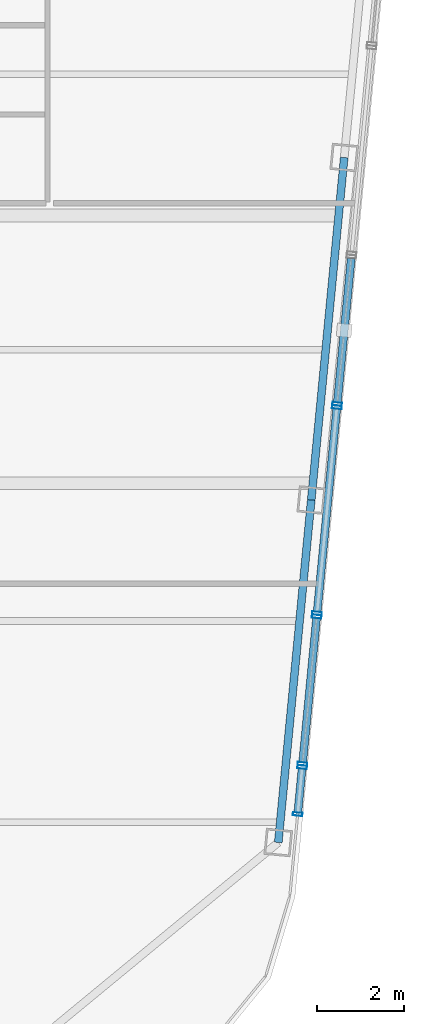
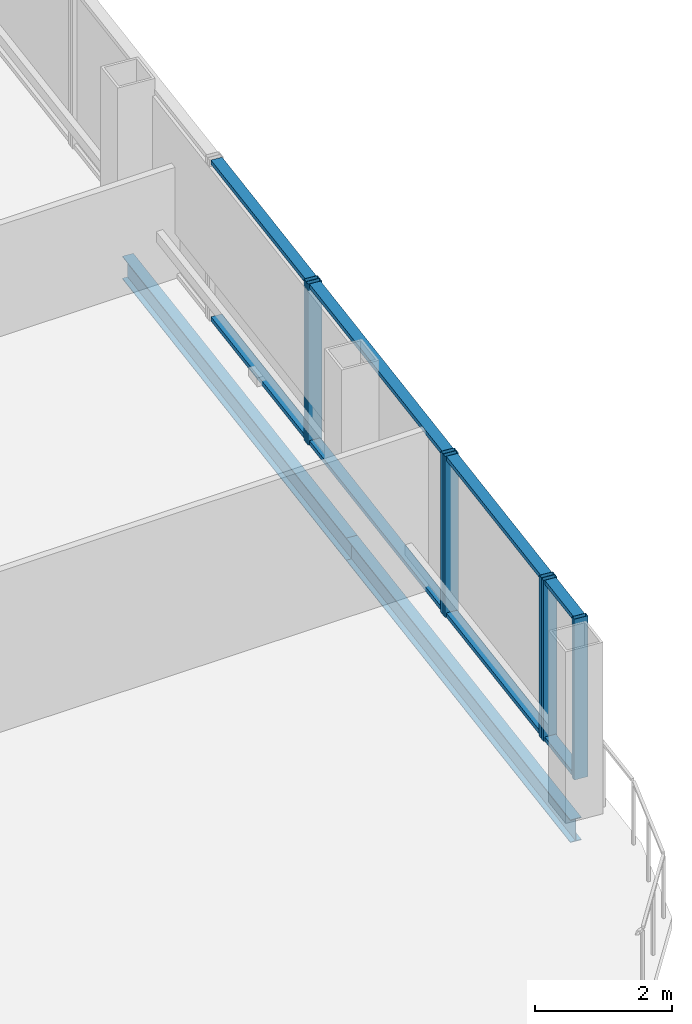
# One storey, part 13 of 27: 15 members, 2 beams, 4 elements without a shape of their own.
"""IFC4 building model written with IfcOpenShell, lengths in metres."""

from ifc_helpers import new_model, si_unit, direction, frame, origin, origin_2d, place, context, subcontext, project, spatial, hollow_rectangle, i_section, extrude, material, layer, layer_set, material_profile, profile_set, type_object, element, aggregate, save


model = new_model("IFC4")

# Units and contexts
model_context = context("Model", 3, precision=1e-05, world=origin(), true_north=direction((0.0, 1.0)))
body_context = subcontext(model_context, "Body", "Model", "MODEL_VIEW")
ifc_project = project(units=[si_unit("LENGTHUNIT", "METRE"), si_unit("AREAUNIT", "SQUARE_METRE"), si_unit("VOLUMEUNIT", "CUBIC_METRE"), si_unit("PLANEANGLEUNIT", "RADIAN"), si_unit("MASSUNIT", "GRAM", prefix="KILO")], contexts=[model_context])

# Site, building, storey
site_placement = place(None, origin())
site = spatial("IfcSite", under=ifc_project, at=site_placement, CompositionType="ELEMENT")
building_placement = place(site_placement, origin())
building = spatial("IfcBuilding", under=site, at=building_placement, Name="Qhalaya Broadcast Tower", CompositionType="ELEMENT")
storey_placement = place(building_placement, frame((0.0, 0.0, 258.10009765625)))
storey = spatial("IfcBuildingStorey", under=building, at=storey_placement, Name="L76", CompositionType="ELEMENT", Elevation=258.10009765625)

# Curtain wall, members
ifc_material_1 = material(Name="Fired Architectural Terracotta", Category="masonry")
ifc_layer_1 = layer(ifc_material_1, 0.219970703125, Name="Fired Architectural Terracotta")
ifc_layer_set_1 = layer_set([ifc_layer_1], Name="Fired Architectural Terracotta")
curtain_wall_type_1 = type_object("IfcCurtainWallType", Name="Block-Cap Unitised Terracotta Spandrel Wall CW-07", PredefinedType="NOTDEFINED", material=ifc_layer_set_1)
curtain_wall_1_placement = place(storey_placement, origin())
curtain_wall_1 = element("IfcCurtainWall", 1, at=curtain_wall_1_placement, inside=storey, type_object=curtain_wall_type_1, Name="L76 Unitised Curtain Wall L76-CW-E1", PredefinedType="NOTDEFINED")
ifc_material_2 = material(Name="Anodised Aluminium 6063-T6", Category="aluminium")
ifc_material_profile_1 = material_profile(ifc_material_2, hollow_rectangle(XDim=0.074951171875, YDim=0.219970703125, WallThickness=0.00390625, at=origin_2d()), Name="ALU-MUL 75x220x4")
ifc_profile_set_1 = profile_set([ifc_material_profile_1], Name="Anodised Aluminium 6063-T6")
member_type_1 = type_object("IfcMemberType", Name="Unitised Curtain-Wall Mullion M01", PredefinedType="MULLION", material=ifc_profile_set_1)
member_1_placement = place(storey_placement, frame((20.272705078125, -16.315185546875, 0.0), z_axis=(0.0, 0.0, 1.0), x_axis=(0.095839545253, 0.995396796039, 0.0)))
member_1 = element("IfcMember", 2, at=member_1_placement, type_object=member_type_1, Name="CW-07 mullion 1", PredefinedType="MULLION", context=body_context, shape_type="SweptSolid", body=[
    extrude(hollow_rectangle(XDim=0.074951171875, YDim=0.219970703125, WallThickness=0.00390625, at=origin_2d()), origin(), (0.0, 0.0, 1.0), 2.85986328125),
])
member_2_placement = place(storey_placement, frame((20.3759765625, -15.240966796875, 0.0), z_axis=(0.0, 0.0, 1.0), x_axis=(0.095839545253, 0.995396796039, 0.0)))
member_2 = element("IfcMember", 3, at=member_2_placement, type_object=member_type_1, Name="CW-07 mullion 2", PredefinedType="MULLION", context=body_context, shape_type="SweptSolid", body=[
    extrude(hollow_rectangle(XDim=0.074951171875, YDim=0.219970703125, WallThickness=0.00390625, at=origin_2d()), origin(), (0.0, 0.0, 1.0), 2.85986328125),
])

ifc_material_3 = material(Name="Solar-Control Low-E Triple Glazing", Category="glass")
ifc_layer_2 = layer(ifc_material_3, 0.219970703125, Name="Solar-Control Low-E Triple Glazing")
ifc_layer_set_2 = layer_set([ifc_layer_2], Name="Solar-Control Low-E Triple Glazing")
curtain_wall_type_2 = type_object("IfcCurtainWallType", Name="High-Altitude Upper-Shaft Triple Low-E Curtain Wall CW-04", PredefinedType="NOTDEFINED", material=ifc_layer_set_2)
curtain_wall_2_placement = place(storey_placement, origin())
curtain_wall_2 = element("IfcCurtainWall", 4, at=curtain_wall_2_placement, inside=storey, type_object=curtain_wall_type_2, Name="L76 Unitised Curtain Wall L76-CW-E2", PredefinedType="NOTDEFINED")
member_3_placement = place(storey_placement, frame((20.38330078125, -15.166259765625, 0.0), z_axis=(0.0, 0.0, 1.0), x_axis=(0.095836350923, 0.995397103593, 0.0)))
member_3 = element("IfcMember", 5, at=member_3_placement, type_object=member_type_1, Name="CW-04 mullion 1", PredefinedType="MULLION", context=body_context, shape_type="SweptSolid", body=[
    extrude(hollow_rectangle(XDim=0.074951171875, YDim=0.219970703125, WallThickness=0.00390625, at=origin_2d()), origin(), (0.0, 0.0, 1.0), 2.85986328125),
])
member_4_placement = place(storey_placement, frame((20.70751953125, -11.7978515625, 0.0), z_axis=(0.0, 0.0, 1.0), x_axis=(0.095836350923, 0.995397103593, 0.0)))
member_4 = element("IfcMember", 6, at=member_4_placement, type_object=member_type_1, Name="CW-04 mullion 2", PredefinedType="MULLION", context=body_context, shape_type="SweptSolid", body=[
    extrude(hollow_rectangle(XDim=0.074951171875, YDim=0.219970703125, WallThickness=0.00390625, at=origin_2d()), origin(), (0.0, 0.0, 1.0), 2.85986328125),
])

curtain_wall_3_placement = place(storey_placement, origin())
curtain_wall_3 = element("IfcCurtainWall", 7, at=curtain_wall_3_placement, inside=storey, type_object=curtain_wall_type_1, Name="L76 Unitised Curtain Wall L76-CW-E3", PredefinedType="NOTDEFINED")
member_5_placement = place(storey_placement, frame((20.714599609375, -11.723388671875, 0.0), z_axis=(0.0, 0.0, 1.0), x_axis=(0.095862212639, 0.995394613301, 0.0)))
member_5 = element("IfcMember", 8, at=member_5_placement, type_object=member_type_1, Name="CW-07 mullion 1", PredefinedType="MULLION", context=body_context, shape_type="SweptSolid", body=[
    extrude(hollow_rectangle(XDim=0.074951171875, YDim=0.219970703125, WallThickness=0.00390625, at=origin_2d()), origin(), (0.0, 0.0, 1.0), 2.85986328125),
])
member_6_placement = place(storey_placement, frame((21.16845703125, -7.01220703125, 0.0), z_axis=(0.0, 0.0, 1.0), x_axis=(0.095862212639, 0.995394613301, 0.0)))
member_6 = element("IfcMember", 9, at=member_6_placement, type_object=member_type_1, Name="CW-07 mullion 2", PredefinedType="MULLION", context=body_context, shape_type="SweptSolid", body=[
    extrude(hollow_rectangle(XDim=0.074951171875, YDim=0.219970703125, WallThickness=0.00390625, at=origin_2d()), origin(), (0.0, 0.0, 1.0), 2.85986328125),
])

# Curtain wall, member
curtain_wall_4_placement = place(storey_placement, origin())
curtain_wall_4 = element("IfcCurtainWall", 10, at=curtain_wall_4_placement, inside=storey, type_object=curtain_wall_type_2, Name="L76 Unitised Curtain Wall L76-CW-E4", PredefinedType="NOTDEFINED")
member_7_placement = place(storey_placement, frame((21.175537109375, -6.9375, 0.0), z_axis=(0.0, 0.0, 1.0), x_axis=(0.095835284901, 0.995397206229, 0.0)))
member_7 = element("IfcMember", 11, at=member_7_placement, type_object=member_type_1, Name="CW-04 mullion 1", PredefinedType="MULLION", context=body_context, shape_type="SweptSolid", body=[
    extrude(hollow_rectangle(XDim=0.074951171875, YDim=0.219970703125, WallThickness=0.00390625, at=origin_2d()), origin(), (0.0, 0.0, 1.0), 2.85986328125),
])

# Member
ifc_material_profile_2 = material_profile(ifc_material_2, hollow_rectangle(XDim=0.074951171875, YDim=0.179931640625, WallThickness=0.00390625, at=origin_2d()), Name="ALU-TRN 75x180x4")
ifc_profile_set_2 = profile_set([ifc_material_profile_2], Name="Anodised Aluminium 6063-T6")
member_type_2 = type_object("IfcMemberType", Name="Unitised Curtain-Wall Transom T01", PredefinedType="USERDEFINED", material=ifc_profile_set_2)
member_8_placement = place(storey_placement, frame((20.276123046875, -16.27783203125, 0.037353515625), z_axis=(0.095795797955, 0.99540100718, 0.0), x_axis=(0.0, 0.0, 1.0)))
member_8 = element("IfcMember", 12, at=member_8_placement, type_object=member_type_2, Name="CW-07 transom 1.1", ObjectType="TRANSOM", PredefinedType="USERDEFINED", context=body_context, shape_type="SweptSolid", body=[
    extrude(hollow_rectangle(XDim=0.074951171875, YDim=0.179931640625, WallThickness=0.00390625, at=origin_2d()), origin(), (0.0, 0.0, 1.0), 1.004150390625),
])

member_9_placement = place(storey_placement, frame((20.276123046875, -16.27783203125, 2.822509765625), z_axis=(0.095795797955, 0.99540100718, 0.0), x_axis=(0.0, 0.0, 1.0)))
member_9 = element("IfcMember", 13, at=member_9_placement, type_object=member_type_2, Name="CW-07 transom 1.2", ObjectType="TRANSOM", PredefinedType="USERDEFINED", context=body_context, shape_type="SweptSolid", body=[
    extrude(hollow_rectangle(XDim=0.074951171875, YDim=0.179931640625, WallThickness=0.00390625, at=origin_2d()), origin(), (0.0, 0.0, 1.0), 1.004150390625),
])

aggregate(curtain_wall_1, [member_1, member_2, member_8, member_9])

member_10_placement = place(storey_placement, frame((20.38671875, -15.129150390625, 0.037353515625), z_axis=(0.095836115257, 0.995397126283, 0.0), x_axis=(0.0, 0.0, 1.0)))
member_10 = element("IfcMember", 14, at=member_10_placement, type_object=member_type_2, Name="CW-04 transom 1.1", ObjectType="TRANSOM", PredefinedType="USERDEFINED", context=body_context, shape_type="SweptSolid", body=[
    extrude(hollow_rectangle(XDim=0.074951171875, YDim=0.179931640625, WallThickness=0.00390625, at=origin_2d()), origin(), (0.0, 0.0, 1.0), 3.30908203125),
])

member_11_placement = place(storey_placement, frame((20.38671875, -15.129150390625, 2.822509765625), z_axis=(0.095836115257, 0.995397126283, 0.0), x_axis=(0.0, 0.0, 1.0)))
member_11 = element("IfcMember", 15, at=member_11_placement, type_object=member_type_2, Name="CW-04 transom 1.2", ObjectType="TRANSOM", PredefinedType="USERDEFINED", context=body_context, shape_type="SweptSolid", body=[
    extrude(hollow_rectangle(XDim=0.074951171875, YDim=0.179931640625, WallThickness=0.00390625, at=origin_2d()), origin(), (0.0, 0.0, 1.0), 3.30908203125),
])

aggregate(curtain_wall_2, [member_3, member_4, member_10, member_11])

member_12_placement = place(storey_placement, frame((20.71826171875, -11.68603515625, 0.037353515625), z_axis=(0.095865210868, 0.995394324549, 0.0), x_axis=(0.0, 0.0, 1.0)))
member_12 = element("IfcMember", 16, at=member_12_placement, type_object=member_type_2, Name="CW-07 transom 1.1", ObjectType="TRANSOM", PredefinedType="USERDEFINED", context=body_context, shape_type="SweptSolid", body=[
    extrude(hollow_rectangle(XDim=0.074951171875, YDim=0.179931640625, WallThickness=0.00390625, at=origin_2d()), origin(), (0.0, 0.0, 1.0), 4.657958984375),
])

member_13_placement = place(storey_placement, frame((20.71826171875, -11.68603515625, 2.822509765625), z_axis=(0.095865210868, 0.995394324549, 0.0), x_axis=(0.0, 0.0, 1.0)))
member_13 = element("IfcMember", 17, at=member_13_placement, type_object=member_type_2, Name="CW-07 transom 1.2", ObjectType="TRANSOM", PredefinedType="USERDEFINED", context=body_context, shape_type="SweptSolid", body=[
    extrude(hollow_rectangle(XDim=0.074951171875, YDim=0.179931640625, WallThickness=0.00390625, at=origin_2d()), origin(), (0.0, 0.0, 1.0), 4.657958984375),
])

aggregate(curtain_wall_3, [member_5, member_6, member_12, member_13])

member_14_placement = place(storey_placement, frame((21.17919921875, -6.900146484375, 0.037353515625), z_axis=(0.095798191468, 0.995400776829, 0.0), x_axis=(0.0, 0.0, 1.0)))
member_14 = element("IfcMember", 18, at=member_14_placement, type_object=member_type_2, Name="CW-04 transom 1.1", ObjectType="TRANSOM", PredefinedType="USERDEFINED", context=body_context, shape_type="SweptSolid", body=[
    extrude(hollow_rectangle(XDim=0.074951171875, YDim=0.179931640625, WallThickness=0.00390625, at=origin_2d()), origin(), (0.0, 0.0, 1.0), 3.307861328125),
])

member_15_placement = place(storey_placement, frame((21.17919921875, -6.900146484375, 2.822509765625), z_axis=(0.095798191468, 0.995400776829, 0.0), x_axis=(0.0, 0.0, 1.0)))
member_15 = element("IfcMember", 19, at=member_15_placement, type_object=member_type_2, Name="CW-04 transom 1.2", ObjectType="TRANSOM", PredefinedType="USERDEFINED", context=body_context, shape_type="SweptSolid", body=[
    extrude(hollow_rectangle(XDim=0.074951171875, YDim=0.179931640625, WallThickness=0.00390625, at=origin_2d()), origin(), (0.0, 0.0, 1.0), 3.307861328125),
])

aggregate(curtain_wall_4, [member_7, member_14, member_15])

# Beams
ifc_material_4 = material(Name="Structural Steel ASTM A992 Grade 50", Category="steel")
ifc_material_profile_3 = material_profile(ifc_material_4, i_section(OverallWidth=0.177978515625, OverallDepth=0.406005859375, WebThickness=0.0078125, FlangeThickness=0.0126953125, at=origin_2d()), Name="W16X40")
ifc_profile_set_3 = profile_set([ifc_material_profile_3], Name="Structural Steel ASTM A992 Grade 50")
beam_type = type_object("IfcBeamType", Name="Upper Perimeter Spandrel Beam SP2", PredefinedType="SPANDREL", material=ifc_profile_set_3)
beam_1_placement = place(storey_placement, frame((19.82861328125, -16.962890625, -0.39306640625), z_axis=(0.095837184179, 0.995397023367, 0.0), x_axis=(-0.995397023367, 0.095837184179, 0.0)))
element("IfcBeam", 20, at=beam_1_placement, inside=storey, type_object=beam_type, Name="L76 SP2 L76-SPR-05", PredefinedType="SPANDREL", context=body_context, shape_type="SweptSolid", body=[
    extrude(i_section(OverallWidth=0.177978515625, OverallDepth=0.406005859375, WebThickness=0.0078125, FlangeThickness=0.0126953125, at=origin_2d()), origin(), (0.0, 0.0, 1.0), 7.866455078125),
])
beam_2_placement = place(storey_placement, frame((20.58251953125, -9.132568359375, -0.39306640625), z_axis=(0.095834223619, 0.995397308407, 0.0), x_axis=(-0.995397308407, 0.095834223619, 0.0)))
element("IfcBeam", 21, at=beam_2_placement, inside=storey, type_object=beam_type, Name="L76 SP2 L76-SPR-06", PredefinedType="SPANDREL", context=body_context, shape_type="SweptSolid", body=[
    extrude(i_section(OverallWidth=0.177978515625, OverallDepth=0.406005859375, WebThickness=0.0078125, FlangeThickness=0.0126953125, at=origin_2d()), origin(), (0.0, 0.0, 1.0), 7.86669921875),
])

save(model, "model.ifc")
